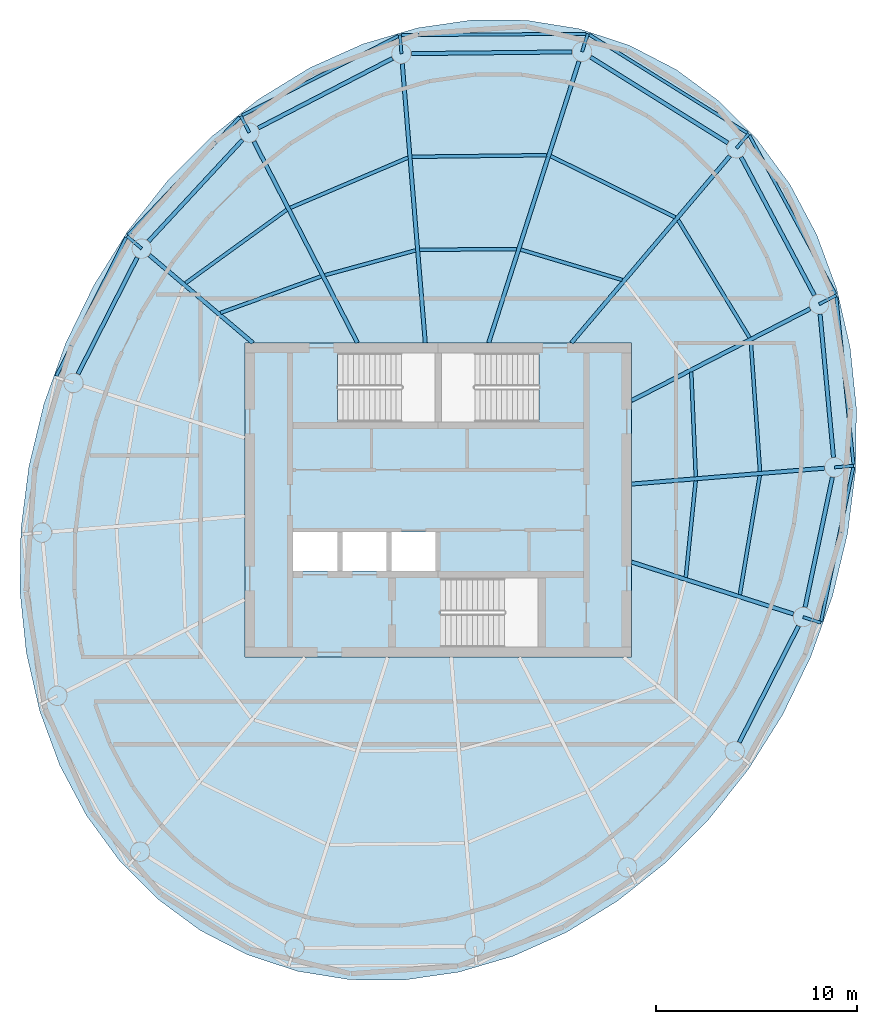
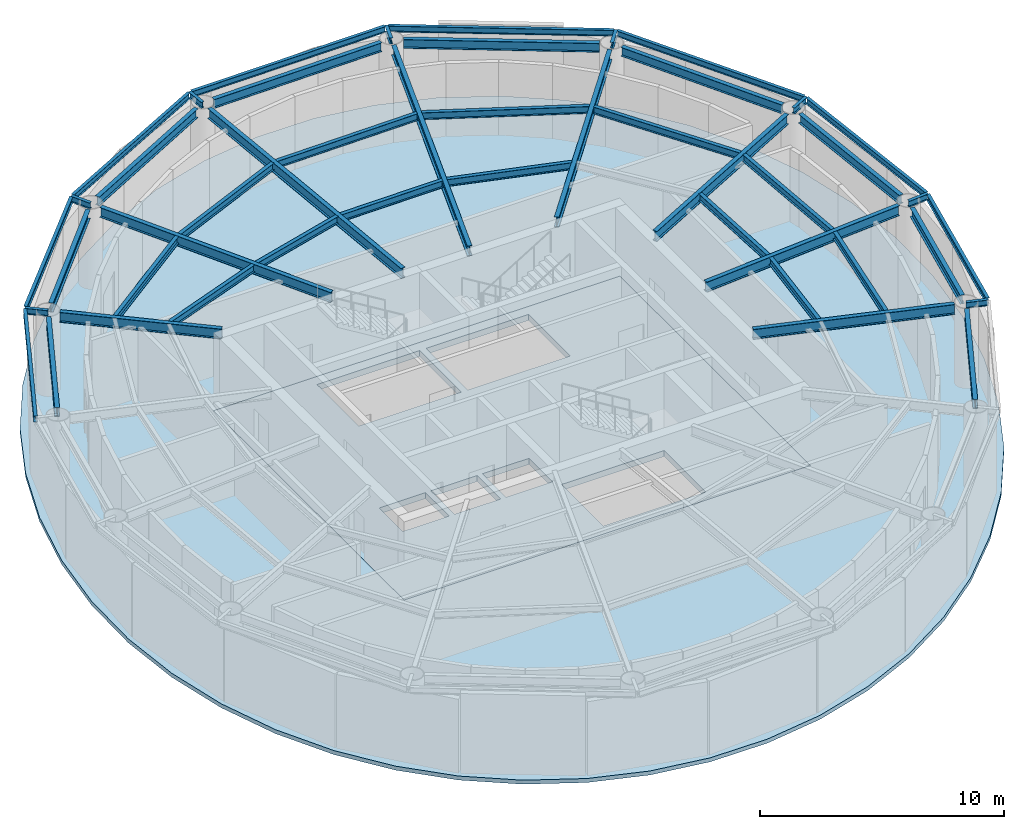
# One storey, part 2 of 6: 46 beams, 2 slabs.
"""IFC4 building model written with IfcOpenShell, lengths in metres."""

import ifcopenshell
import ifcopenshell.guid

model = None  # the IFC model being written
_history = None  # IfcOwnerHistory: only IFC2X3 demands one
_inside = {}  # id of a spatial element -> (the spatial element, [elements in it])
_under = {}  # id of a project, library or spatial element -> (it, [spatial elements below it])
_declared = {}  # id of a project -> (the project, [libraries it declares])
_typed = {}  # id of a type object -> (the type object, [elements of that type])
_made_of = {}  # id of a material, layer set ... -> (it, [elements and type objects made of it])


def new_model(schema):
    """Start an empty IFC model of exactly this schema.

    Asked for "IFC4X3", IfcOpenShell would pick the latest addendum, in which some entities
    have other attributes; the version numbers below select the first issue.
    IFC2X3 requires an IfcOwnerHistory on every rooted entity: one is made here for all.
    """
    global model, _history
    if schema == "IFC4X3":
        model = ifcopenshell.file(schema_version=(4, 3, 0, 0))
    else:
        model = ifcopenshell.file(schema=schema)
    _inside.clear()
    _under.clear()
    _declared.clear()
    _typed.clear()
    _made_of.clear()
    _history = None
    if model.schema == "IFC2X3":
        org = make("IfcOrganization", Name="unknown")
        user = make(
            "IfcPersonAndOrganization",
            ThePerson=make("IfcPerson", FamilyName="unknown"),
            TheOrganization=org,
        )
        app = make(
            "IfcApplication",
            ApplicationDeveloper=org,
            Version="unknown",
            ApplicationFullName="unknown",
            ApplicationIdentifier="unknown",
        )
        _history = make(
            "IfcOwnerHistory",
            OwningUser=user,
            OwningApplication=app,
            ChangeAction="ADDED",
            CreationDate=0,
        )
    return model


def make(cls, **values):
    """One entity of the class cls with the attributes given. An attribute that is None is left unset."""
    return model.create_entity(
        cls, **{name: value for name, value in values.items() if value is not None}
    )


def rooted(cls, **values):
    """An entity with a GlobalId (a new one), such as an element, a storey or a relation."""
    return make(cls, GlobalId=ifcopenshell.guid.new(), OwnerHistory=_history, **values)


def si_unit(unit_type, name, prefix=None):
    """IfcSIUnit, for example si_unit("LENGTHUNIT", "METRE", prefix="MILLI")."""
    return make("IfcSIUnit", UnitType=unit_type, Prefix=prefix, Name=name)


def assignment(units):
    """IfcUnitAssignment: the units of a project."""
    return None if units is None else make("IfcUnitAssignment", Units=units)


def point(xyz):
    """IfcCartesianPoint."""
    return None if xyz is None else make("IfcCartesianPoint", Coordinates=xyz)


def direction(xyz):
    """IfcDirection."""
    return None if xyz is None else make("IfcDirection", DirectionRatios=xyz)


def frame(location, z_axis=None, x_axis=None):
    """IfcAxis2Placement3D, a coordinate frame: its origin and axes. An axis left out is left unset."""
    return make(
        "IfcAxis2Placement3D",
        Location=point(location),
        Axis=direction(z_axis),
        RefDirection=direction(x_axis),
    )


def frame_2d(location, x_axis=None):
    """IfcAxis2Placement2D, a coordinate frame in the plane: its origin and x axis."""
    return make(
        "IfcAxis2Placement2D", Location=point(location), RefDirection=direction(x_axis)
    )


def origin():
    """The frame at (0, 0, 0) with its axes left unset."""
    return frame((0.0, 0.0, 0.0))


def origin_2d():
    """The frame at (0, 0) in the plane with its x axis left unset."""
    return frame_2d((0.0, 0.0))


def place(relative_to, where):
    """IfcLocalPlacement: puts the frame where relative to a parent placement (None: the world)."""
    return make(
        "IfcLocalPlacement", PlacementRelTo=relative_to, RelativePlacement=where
    )


def context(
    kind, dimensions, precision=None, world=None, true_north=None, identifier=None
):
    """IfcGeometricRepresentationContext, for example the 3D "Model" context."""
    return make(
        "IfcGeometricRepresentationContext",
        ContextIdentifier=identifier,
        ContextType=kind,
        CoordinateSpaceDimension=dimensions,
        Precision=precision,
        WorldCoordinateSystem=world,
        TrueNorth=true_north,
    )


def subcontext(parent, identifier, kind, view, scale=None):
    """IfcGeometricRepresentationSubContext, for example "Body" below "Model"."""
    return make(
        "IfcGeometricRepresentationSubContext",
        ContextIdentifier=identifier,
        ContextType=kind,
        ParentContext=parent,
        TargetScale=scale,
        TargetView=view,
    )


def project(units=None, contexts=None):
    """IfcProject with its units and contexts."""
    return rooted(
        "IfcProject",
        Name="project",
        RepresentationContexts=contexts,
        UnitsInContext=assignment(units),
    )


def spatial(cls, under=None, at=None, **own):
    """A site, building, storey or space (cls), placed at a placement, below another one or the project."""
    s = rooted(cls, ObjectPlacement=at, **own)
    if under is not None:
        _under.setdefault(under.id(), (under, []))[1].append(s)
    return s


def polyline(points):
    """IfcPolyline through the points."""
    return make("IfcPolyline", Points=[point(p) for p in points])


def profile(cls, at=None, kind="AREA", **sizes):
    """A parametric profile (cls). Its sizes go by their IFC names, for example OverallWidth=200.0."""
    return make(cls, ProfileType=kind, Position=at, **sizes)


def i_section(**sizes):
    """IfcIShapeProfileDef."""
    return profile("IfcIShapeProfileDef", **sizes)


def outline(outer, holes=None, kind="AREA"):
    """IfcArbitraryClosedProfileDef: a profile drawn as a closed curve; with holes, ...WithVoids."""
    if holes is None:
        return make("IfcArbitraryClosedProfileDef", ProfileType=kind, OuterCurve=outer)
    return make(
        "IfcArbitraryProfileDefWithVoids",
        ProfileType=kind,
        OuterCurve=outer,
        InnerCurves=holes,
    )


def extrude(swept, where, along, depth):
    """IfcExtrudedAreaSolid: the profile swept, set in the frame where, extruded along a direction by depth."""
    return make(
        "IfcExtrudedAreaSolid",
        SweptArea=swept,
        Position=where,
        ExtrudedDirection=direction(along),
        Depth=depth,
    )


def shape(context_of_items, identifier, shape_type, items):
    """IfcShapeRepresentation: the items that make up one representation, for example the "Body"."""
    return make(
        "IfcShapeRepresentation",
        ContextOfItems=context_of_items,
        RepresentationIdentifier=identifier,
        RepresentationType=shape_type,
        Items=items,
    )


def material(Name=None, Category=None):
    """IfcMaterial."""
    return make("IfcMaterial", Name=Name, Category=Category)


def layer(
    of_material, thickness, ventilated=None, Name=None, Category=None, Priority=None
):
    """IfcMaterialLayer: one layer of a wall or slab, of a material (None: an air gap)."""
    return make(
        "IfcMaterialLayer",
        Material=of_material,
        LayerThickness=thickness,
        IsVentilated=ventilated,
        Name=Name,
        Category=Category,
        Priority=Priority,
    )


def layer_set(layers, Name=None):
    """IfcMaterialLayerSet."""
    return make("IfcMaterialLayerSet", MaterialLayers=layers, LayerSetName=Name)


def material_profile(
    of_material, cross_section, Name=None, Category=None, Priority=None
):
    """IfcMaterialProfile: a cross section and its material."""
    return make(
        "IfcMaterialProfile",
        Name=Name,
        Material=of_material,
        Profile=cross_section,
        Priority=Priority,
        Category=Category,
    )


def profile_set(profiles, Name=None, composite=None):
    """IfcMaterialProfileSet."""
    return make(
        "IfcMaterialProfileSet",
        Name=Name,
        MaterialProfiles=profiles,
        CompositeProfile=composite,
    )


def made_of(thing, what):
    """Note that an element or type object is made of a material, layer set ...; save() writes the relation."""
    if what is not None:
        _made_of.setdefault(what.id(), (what, []))[1].append(thing)
    return thing


def type_object(cls, material=None, **own):
    """A type object (cls), such as IfcWallType, which elements share."""
    return made_of(rooted(cls, **own), material)


def element(
    cls,
    number,
    at=None,
    inside=None,
    cuts=None,
    type_object=None,
    material=None,
    context=None,
    identifier="Body",
    shape_type=None,
    held_by="IfcProductDefinitionShape",
    body=None,
    shapes=None,
    **own,
):
    """One element of the class cls, such as IfcWall. Its Tag is "e" and its number.

    at: its placement. inside: the storey or other place that contains it. cuts: it is an
    opening in that element (IfcRelVoidsElement). A single representation is given by context,
    identifier, shape_type and body (its items); several are given by shapes. held_by: the class
    of the entity that holds the representations. save() writes the other relations.
    """
    e = rooted(cls, Tag="e%d" % number, ObjectPlacement=at, **own)
    if body is not None:
        shapes = [shape(context, identifier, shape_type, body)]
    if shapes is not None:
        e.Representation = make(held_by, Representations=shapes)
    if inside is not None:
        _inside.setdefault(inside.id(), (inside, []))[1].append(e)
    if cuts is not None:
        rooted(
            "IfcRelVoidsElement", RelatingBuildingElement=cuts, RelatedOpeningElement=e
        )
    if type_object is not None:
        _typed.setdefault(type_object.id(), (type_object, []))[1].append(e)
    return made_of(e, material)


def aggregate(whole, parts):
    """IfcRelAggregates: a whole, such as a stair, and the parts it consists of."""
    return rooted("IfcRelAggregates", RelatingObject=whole, RelatedObjects=parts)


def save(model, path):
    """Write the relations noted so far, then the file.

    IfcRelAggregates (storeys below a building ...), IfcRelContainedInSpatialStructure (elements
    in a storey), IfcRelDefinesByType, IfcRelAssociatesMaterial and IfcRelDeclares: one each for
    every whole, place, type object, material and project.
    """
    for whole, parts in _under.values():
        aggregate(whole, parts)
    for where, things in _inside.values():
        rooted(
            "IfcRelContainedInSpatialStructure",
            RelatedElements=things,
            RelatingStructure=where,
        )
    for kind, things in _typed.values():
        rooted("IfcRelDefinesByType", RelatedObjects=things, RelatingType=kind)
    for what, things in _made_of.values():
        rooted("IfcRelAssociatesMaterial", RelatedObjects=things, RelatingMaterial=what)
    for by, libraries in _declared.values():
        rooted("IfcRelDeclares", RelatingContext=by, RelatedDefinitions=libraries)
    model.write(path)


model = new_model("IFC4")

# Units and contexts
model_context = context("Model", 3, precision=1e-05, world=origin(), true_north=direction((0.0, 1.0)))
body_context = subcontext(model_context, "Body", "Model", "MODEL_VIEW")
ifc_project = project(units=[si_unit("LENGTHUNIT", "METRE"), si_unit("AREAUNIT", "SQUARE_METRE"), si_unit("VOLUMEUNIT", "CUBIC_METRE"), si_unit("PLANEANGLEUNIT", "RADIAN"), si_unit("MASSUNIT", "GRAM", prefix="KILO")], contexts=[model_context])

# Site, building, storey
site_placement = place(None, origin())
site = spatial("IfcSite", under=ifc_project, at=site_placement, CompositionType="ELEMENT")
building_placement = place(site_placement, origin())
building = spatial("IfcBuilding", under=site, at=building_placement, Name="Vermilion Reach Broadcast Tower", CompositionType="ELEMENT")
storey_placement = place(building_placement, frame((0.0, 0.0, 308.699951171875)))
storey = spatial("IfcBuildingStorey", under=building, at=storey_placement, Name="L77 CROWN", CompositionType="ELEMENT", Elevation=308.699951171875)

# Beams
ifc_material_1 = material(Name="Steel S355J2", Category="steel")
ifc_material_profile_1 = material_profile(ifc_material_1, i_section(OverallWidth=0.14990234375, OverallDepth=0.300048828125, WebThickness=0.006591796875, FlangeThickness=0.009033203125, at=origin_2d()), Name="S355J2 HN 300x150x6.5x9")
ifc_profile_set_1 = profile_set([ifc_material_profile_1], Name="Steel S355J2")
beam_type_1 = type_object("IfcBeamType", Name="EB5 HN 300x150x6.5x9", PredefinedType="BEAM", material=ifc_profile_set_1)
beam_1_placement = place(storey_placement, frame((1.346435546875, 23.140380859375, 3.85009765625), z_axis=(-0.999971629622, -0.007532592595, 0.0), x_axis=(0.007532592595, -0.999971629622, 0.0)))
element("IfcBeam", 1, at=beam_1_placement, inside=storey, type_object=beam_type_1, Name="Edge beam EB5-01", PredefinedType="BEAM", context=body_context, shape_type="SweptSolid", body=[
    extrude(i_section(OverallWidth=0.14990234375, OverallDepth=0.300048828125, WebThickness=0.006591796875, FlangeThickness=0.009033203125, at=origin_2d()), origin(), (0.0, 0.0, 1.0), 9.17236328125),
])
beam_2_placement = place(storey_placement, frame((-7.97314453125, 23.033935546875, 3.85009765625), z_axis=(-0.891604217889, -0.452815545936, 0.0), x_axis=(0.452815545936, -0.891604217889, 0.0)))
element("IfcBeam", 2, at=beam_2_placement, inside=storey, type_object=beam_type_1, Name="Edge beam EB5-02", PredefinedType="BEAM", context=body_context, shape_type="SweptSolid", body=[
    extrude(i_section(OverallWidth=0.14990234375, OverallDepth=0.300048828125, WebThickness=0.006591796875, FlangeThickness=0.009033203125, at=origin_2d()), origin(), (0.0, 0.0, 1.0), 8.70263671875),
])
beam_3_placement = place(storey_placement, frame((-15.85400390625, 19.001708984375, 3.85009765625), z_axis=(-0.687701793008, -0.725993280888, 0.0), x_axis=(0.725993280888, -0.687701793008, 0.0)))
element("IfcBeam", 3, at=beam_3_placement, inside=storey, type_object=beam_type_1, Name="Edge beam EB5-03", PredefinedType="BEAM", context=body_context, shape_type="SweptSolid", body=[
    extrude(i_section(OverallWidth=0.14990234375, OverallDepth=0.300048828125, WebThickness=0.006591796875, FlangeThickness=0.009033203125, at=origin_2d()), origin(), (0.0, 0.0, 1.0), 8.05908203125),
])
beam_4_placement = place(storey_placement, frame((-21.48291015625, 13.02734375, 3.85009765625), z_axis=(-0.451232435887, -0.892406459414, 0.0), x_axis=(0.892406459414, -0.451232435887, 0.0)))
element("IfcBeam", 4, at=beam_4_placement, inside=storey, type_object=beam_type_1, Name="Edge beam EB5-04", PredefinedType="BEAM", context=body_context, shape_type="SweptSolid", body=[
    extrude(i_section(OverallWidth=0.14990234375, OverallDepth=0.300048828125, WebThickness=0.006591796875, FlangeThickness=0.009033203125, at=origin_2d()), origin(), (0.0, 0.0, 1.0), 7.6943359375),
])
beam_5_placement = place(storey_placement, frame((13.00439453125, -6.019287109375, 3.85009765625), z_axis=(0.204738436734, 0.978816720599, 0.0), x_axis=(-0.978816720599, 0.204738436734, 0.0)))
element("IfcBeam", 5, at=beam_5_placement, inside=storey, type_object=beam_type_1, Name="Edge beam EB5-13", PredefinedType="BEAM", context=body_context, shape_type="SweptSolid", body=[
    extrude(i_section(OverallWidth=0.14990234375, OverallDepth=0.300048828125, WebThickness=0.006591796875, FlangeThickness=0.009033203125, at=origin_2d()), origin(), (0.0, 0.0, 1.0), 7.806884765625),
])
beam_6_placement = place(storey_placement, frame((14.611083984375, 1.7734375, 3.85009765625), z_axis=(-0.102011792202, 0.99478318957, 0.0), x_axis=(-0.99478318957, -0.102011792202, 0.0)))
element("IfcBeam", 6, at=beam_6_placement, inside=storey, type_object=beam_type_1, Name="Edge beam EB5-14", PredefinedType="BEAM", context=body_context, shape_type="SweptSolid", body=[
    extrude(i_section(OverallWidth=0.14990234375, OverallDepth=0.300048828125, WebThickness=0.006591796875, FlangeThickness=0.009033203125, at=origin_2d()), origin(), (0.0, 0.0, 1.0), 8.34521484375),
])
beam_7_placement = place(storey_placement, frame((13.7158203125, 10.22119140625, 3.85009765625), z_axis=(-0.476526173128, 0.879160284774, 0.0), x_axis=(-0.879160284774, -0.476526173128, 0.0)))
element("IfcBeam", 7, at=beam_7_placement, inside=storey, type_object=beam_type_1, Name="Edge beam EB5-15", PredefinedType="BEAM", context=body_context, shape_type="SweptSolid", body=[
    extrude(i_section(OverallWidth=0.14990234375, OverallDepth=0.300048828125, WebThickness=0.006591796875, FlangeThickness=0.009033203125, at=origin_2d()), origin(), (0.0, 0.0, 1.0), 8.9638671875),
])
beam_8_placement = place(storey_placement, frame((9.341552734375, 18.212646484375, 3.85009765625), z_axis=(-0.848928421209, 0.528507838791, 0.0), x_axis=(-0.528507838791, -0.848928421209, 0.0)))
element("IfcBeam", 8, at=beam_8_placement, inside=storey, type_object=beam_type_1, Name="Edge beam EB5-16", PredefinedType="BEAM", context=body_context, shape_type="SweptSolid", body=[
    extrude(i_section(OverallWidth=0.14990234375, OverallDepth=0.300048828125, WebThickness=0.006591796875, FlangeThickness=0.009033203125, at=origin_2d()), origin(), (0.0, 0.0, 1.0), 9.24755859375),
])
ifc_material_2 = material(Name="Steel S355J2", Category="steel")
ifc_material_profile_2 = material_profile(ifc_material_2, i_section(OverallWidth=0.199951171875, OverallDepth=0.5, WebThickness=0.010009765625, FlangeThickness=0.01611328125, at=origin_2d()), Name="S355J2 HN 500x200x10x16")
ifc_profile_set_2 = profile_set([ifc_material_profile_2], Name="Steel S355J2")
beam_type_2 = type_object("IfcBeamType", Name="G5 HN 500x200x10x16", PredefinedType="BEAM", material=ifc_profile_set_2)
beam_9_placement = place(storey_placement, frame((-3.497314453125, 7.800048828125, 3.75), z_axis=(0.305545401295, 0.952177508528, 0.0), x_axis=(-0.952177508528, 0.305545401295, 0.0)))
element("IfcBeam", 9, at=beam_9_placement, inside=storey, type_object=beam_type_2, Name="Girder G5-01", PredefinedType="BEAM", context=body_context, shape_type="SweptSolid", body=[
    extrude(i_section(OverallWidth=0.199951171875, OverallDepth=0.5, WebThickness=0.010009765625, FlangeThickness=0.01611328125, at=origin_2d()), origin(), (0.0, 0.0, 1.0), 14.672607421875),
])
beam_10_placement = place(storey_placement, frame((-6.642578125, 7.800048828125, 3.75), z_axis=(-0.082123744247, 0.996622140347, 0.0), x_axis=(-0.996622140347, -0.082123744247, 0.0)))
element("IfcBeam", 10, at=beam_10_placement, inside=storey, type_object=beam_type_2, Name="Girder G5-02", PredefinedType="BEAM", context=body_context, shape_type="SweptSolid", body=[
    extrude(i_section(OverallWidth=0.199951171875, OverallDepth=0.5, WebThickness=0.010009765625, FlangeThickness=0.01611328125, at=origin_2d()), origin(), (0.0, 0.0, 1.0), 13.89794921875),
])
beam_11_placement = place(storey_placement, frame((-10.010498046875, 7.800048828125, 3.75), z_axis=(-0.457258168112, 0.889334002327, 0.0), x_axis=(-0.889334002327, -0.457258168112, 0.0)))
element("IfcBeam", 11, at=beam_11_placement, inside=storey, type_object=beam_type_2, Name="Girder G5-03", PredefinedType="BEAM", context=body_context, shape_type="SweptSolid", body=[
    extrude(i_section(OverallWidth=0.199951171875, OverallDepth=0.5, WebThickness=0.010009765625, FlangeThickness=0.01611328125, at=origin_2d()), origin(), (0.0, 0.0, 1.0), 11.236328125),
])
beam_12_placement = place(storey_placement, frame((-15.20068359375, 7.800048828125, 3.75), z_axis=(-0.762793125612, 0.646642596431, 0.0), x_axis=(-0.646642596431, -0.762793125612, 0.0)))
element("IfcBeam", 12, at=beam_12_placement, inside=storey, type_object=beam_type_2, Name="Girder G5-04", PredefinedType="BEAM", context=body_context, shape_type="SweptSolid", body=[
    extrude(i_section(OverallWidth=0.199951171875, OverallDepth=0.5, WebThickness=0.010009765625, FlangeThickness=0.01611328125, at=origin_2d()), origin(), (0.0, 0.0, 1.0), 6.732421875),
])
beam_13_placement = place(storey_placement, frame((3.60009765625, -3.080322265625, 3.75), z_axis=(0.952178453449, -0.305542456604, 0.0), x_axis=(0.305542456604, 0.952178453449, 0.0)))
element("IfcBeam", 13, at=beam_13_placement, inside=storey, type_object=beam_type_2, Name="Girder G5-13", PredefinedType="BEAM", context=body_context, shape_type="SweptSolid", body=[
    extrude(i_section(OverallWidth=0.199951171875, OverallDepth=0.5, WebThickness=0.010009765625, FlangeThickness=0.01611328125, at=origin_2d()), origin(), (0.0, 0.0, 1.0), 8.43310546875),
])
beam_14_placement = place(storey_placement, frame((3.60009765625, 0.791015625, 3.75), z_axis=(0.996624410075, 0.082096195058, 0.0), x_axis=(-0.082096195058, 0.996624410075, 0.0)))
element("IfcBeam", 14, at=beam_14_placement, inside=storey, type_object=beam_type_2, Name="Girder G5-14", PredefinedType="BEAM", context=body_context, shape_type="SweptSolid", body=[
    extrude(i_section(OverallWidth=0.199951171875, OverallDepth=0.5, WebThickness=0.010009765625, FlangeThickness=0.01611328125, at=origin_2d()), origin(), (0.0, 0.0, 1.0), 9.599609375),
])
beam_15_placement = place(storey_placement, frame((3.60009765625, 4.935791015625, 3.75), z_axis=(0.889332502449, 0.457261085254, 0.0), x_axis=(-0.457261085254, 0.889332502449, 0.0)))
element("IfcBeam", 15, at=beam_15_placement, inside=storey, type_object=beam_type_2, Name="Girder G5-15", PredefinedType="BEAM", context=body_context, shape_type="SweptSolid", body=[
    extrude(i_section(OverallWidth=0.199951171875, OverallDepth=0.5, WebThickness=0.010009765625, FlangeThickness=0.01611328125, at=origin_2d()), origin(), (0.0, 0.0, 1.0), 9.96337890625),
])
beam_16_placement = place(storey_placement, frame((0.612548828125, 7.800048828125, 3.75), z_axis=(0.646658335602, 0.762779782766, 0.0), x_axis=(-0.762779782766, 0.646658335602, 0.0)))
element("IfcBeam", 16, at=beam_16_placement, inside=storey, type_object=beam_type_2, Name="Girder G5-16", PredefinedType="BEAM", context=body_context, shape_type="SweptSolid", body=[
    extrude(i_section(OverallWidth=0.199951171875, OverallDepth=0.5, WebThickness=0.010009765625, FlangeThickness=0.01611328125, at=origin_2d()), origin(), (0.0, 0.0, 1.0), 12.16064453125),
])
ifc_material_3 = material(Name="Steel S355J2", Category="steel")
ifc_material_profile_3 = material_profile(ifc_material_3, i_section(OverallWidth=0.14990234375, OverallDepth=0.300048828125, WebThickness=0.006591796875, FlangeThickness=0.009033203125, at=origin_2d()), Name="S355J2 HN 300x150x6.5x9")
ifc_profile_set_3 = profile_set([ifc_material_profile_3], Name="Steel S355J2")
beam_type_3 = type_object("IfcBeamType", Name="GS5 HN 300x150x6.5x9", PredefinedType="BEAM", material=ifc_profile_set_3)
beam_17_placement = place(storey_placement, frame((1.138427734375, 22.2470703125, 3.85009765625), z_axis=(0.305596628184, 0.95216106875, 0.0), x_axis=(-0.95216106875, 0.305596628184, 0.0)))
element("IfcBeam", 17, at=beam_17_placement, inside=storey, type_object=beam_type_3, Name="Cantilever stub GS5-01", PredefinedType="BEAM", context=body_context, shape_type="SweptSolid", body=[
    extrude(i_section(OverallWidth=0.14990234375, OverallDepth=0.300048828125, WebThickness=0.006591796875, FlangeThickness=0.009033203125, at=origin_2d()), origin(), (0.0, 0.0, 1.0), 0.938720703125),
])
beam_18_placement = place(storey_placement, frame((-7.824951171875, 22.1494140625, 3.85009765625), z_axis=(-0.082149174093, 0.996620044548, 0.0), x_axis=(-0.996620044548, -0.082149174093, 0.0)))
element("IfcBeam", 18, at=beam_18_placement, inside=storey, type_object=beam_type_3, Name="Cantilever stub GS5-02", PredefinedType="BEAM", context=body_context, shape_type="SweptSolid", body=[
    extrude(i_section(OverallWidth=0.14990234375, OverallDepth=0.300048828125, WebThickness=0.006591796875, FlangeThickness=0.009033203125, at=origin_2d()), origin(), (0.0, 0.0, 1.0), 0.92431640625),
])
beam_19_placement = place(storey_placement, frame((-15.376953125, 18.23779296875, 3.85009765625), z_axis=(-0.457228572872, 0.889349218333, 0.0), x_axis=(-0.889349218333, -0.457228572872, 0.0)))
element("IfcBeam", 19, at=beam_19_placement, inside=storey, type_object=beam_type_3, Name="Cantilever stub GS5-03", PredefinedType="BEAM", context=body_context, shape_type="SweptSolid", body=[
    extrude(i_section(OverallWidth=0.14990234375, OverallDepth=0.300048828125, WebThickness=0.006591796875, FlangeThickness=0.009033203125, at=origin_2d()), origin(), (0.0, 0.0, 1.0), 0.923828125),
])
beam_20_placement = place(storey_placement, frame((-20.717529296875, 12.476806640625, 3.85009765625), z_axis=(-0.762718692688, 0.64673038882, 0.0), x_axis=(-0.64673038882, -0.762718692688, 0.0)))
element("IfcBeam", 20, at=beam_20_placement, inside=storey, type_object=beam_type_3, Name="Cantilever stub GS5-04", PredefinedType="BEAM", context=body_context, shape_type="SweptSolid", body=[
    extrude(i_section(OverallWidth=0.14990234375, OverallDepth=0.300048828125, WebThickness=0.006591796875, FlangeThickness=0.009033203125, at=origin_2d()), origin(), (0.0, 0.0, 1.0), 0.957763671875),
])
beam_21_placement = place(storey_placement, frame((12.10595703125, -5.809814453125, 3.85009765625), z_axis=(0.952228317443, -0.305387019141, 0.0), x_axis=(0.305387019141, 0.952228317443, 0.0)))
element("IfcBeam", 21, at=beam_21_placement, inside=storey, type_object=beam_type_3, Name="Cantilever stub GS5-13", PredefinedType="BEAM", context=body_context, shape_type="SweptSolid", body=[
    extrude(i_section(OverallWidth=0.14990234375, OverallDepth=0.300048828125, WebThickness=0.006591796875, FlangeThickness=0.009033203125, at=origin_2d()), origin(), (0.0, 0.0, 1.0), 0.92724609375),
])
beam_22_placement = place(storey_placement, frame((13.665771484375, 1.620361328125, 3.85009765625), z_axis=(0.996634988565, 0.081967673925, 0.0), x_axis=(-0.081967673925, 0.996634988565, 0.0)))
element("IfcBeam", 22, at=beam_22_placement, inside=storey, type_object=beam_type_3, Name="Cantilever stub GS5-14", PredefinedType="BEAM", context=body_context, shape_type="SweptSolid", body=[
    extrude(i_section(OverallWidth=0.14990234375, OverallDepth=0.300048828125, WebThickness=0.006591796875, FlangeThickness=0.009033203125, at=origin_2d()), origin(), (0.0, 0.0, 1.0), 0.9560546875),
])
beam_23_placement = place(storey_placement, frame((12.905517578125, 9.72021484375, 3.85009765625), z_axis=(0.88934146644, 0.457243650662, 0.0), x_axis=(-0.457243650662, 0.88934146644, 0.0)))
element("IfcBeam", 23, at=beam_23_placement, inside=storey, type_object=beam_type_3, Name="Cantilever stub GS5-15", PredefinedType="BEAM", context=body_context, shape_type="SweptSolid", body=[
    extrude(i_section(OverallWidth=0.14990234375, OverallDepth=0.300048828125, WebThickness=0.006591796875, FlangeThickness=0.009033203125, at=origin_2d()), origin(), (0.0, 0.0, 1.0), 0.951416015625),
])
beam_24_placement = place(storey_placement, frame((8.799560546875, 17.457275390625, 3.85009765625), z_axis=(0.646665495652, 0.762773712665, 0.0), x_axis=(-0.762773712665, 0.646665495652, 0.0)))
element("IfcBeam", 24, at=beam_24_placement, inside=storey, type_object=beam_type_3, Name="Cantilever stub GS5-16", PredefinedType="BEAM", context=body_context, shape_type="SweptSolid", body=[
    extrude(i_section(OverallWidth=0.14990234375, OverallDepth=0.300048828125, WebThickness=0.006591796875, FlangeThickness=0.009033203125, at=origin_2d()), origin(), (0.0, 0.0, 1.0), 0.937744140625),
])
ifc_material_4 = material(Name="Steel S355J2", Category="steel")
ifc_material_profile_4 = material_profile(ifc_material_4, i_section(OverallWidth=0.199951171875, OverallDepth=0.449951171875, WebThickness=0.009033203125, FlangeThickness=0.013916015625, at=origin_2d()), Name="S355J2 HN 450x200x9x14")
ifc_profile_set_4 = profile_set([ifc_material_profile_4], Name="Steel S355J2")
beam_type_4 = type_object("IfcBeamType", Name="RB5 HN 450x200x9x14", PredefinedType="BEAM", material=ifc_profile_set_4)
beam_25_placement = place(storey_placement, frame((0.638427734375, 22.24169921875, 3.775146484375), z_axis=(-0.999940445231, -0.010913569149, 0.0), x_axis=(0.010913569149, -0.999940445231, 0.0)))
element("IfcBeam", 25, at=beam_25_placement, inside=storey, type_object=beam_type_4, Name="Ring beam RB5-01", PredefinedType="BEAM", context=body_context, shape_type="SweptSolid", body=[
    extrude(i_section(OverallWidth=0.199951171875, OverallDepth=0.449951171875, WebThickness=0.009033203125, FlangeThickness=0.013916015625, at=origin_2d()), origin(), (0.0, 0.0, 1.0), 7.9638671875),
])
beam_26_placement = place(storey_placement, frame((-8.268798828125, 21.91943359375, 3.775146484375), z_axis=(-0.887960248279, -0.459920207729, 0.0), x_axis=(0.459920207729, -0.887960248279, 0.0)))
element("IfcBeam", 26, at=beam_26_placement, inside=storey, type_object=beam_type_4, Name="Ring beam RB5-02", PredefinedType="BEAM", context=body_context, shape_type="SweptSolid", body=[
    extrude(i_section(OverallWidth=0.199951171875, OverallDepth=0.449951171875, WebThickness=0.009033203125, FlangeThickness=0.013916015625, at=origin_2d()), origin(), (0.0, 0.0, 1.0), 7.5048828125),
])
beam_27_placement = place(storey_placement, frame((-15.716796875, 17.87109375, 3.775146484375), z_axis=(-0.679837550075, -0.733362738014, 0.0), x_axis=(0.733362738014, -0.679837550075, 0.0)))
element("IfcBeam", 27, at=beam_27_placement, inside=storey, type_object=beam_type_4, Name="Ring beam RB5-03", PredefinedType="BEAM", context=body_context, shape_type="SweptSolid", body=[
    extrude(i_section(OverallWidth=0.199951171875, OverallDepth=0.449951171875, WebThickness=0.009033203125, FlangeThickness=0.013916015625, at=origin_2d()), origin(), (0.0, 0.0, 1.0), 6.85546875),
])
for number, where, z_axis, x_axis, name in (
    (28, (-20.944091796875, 12.03125, 3.775146484375), (-0.453052302855, -0.891483937532, 0.0), (0.891483937532, -0.453052302855, 0.0), "Ring beam RB5-04"),
    (29, (8.944091796875, -12.03125, 3.775146484375), (0.453052302855, 0.891483937532, 0.0), (-0.891483937532, 0.453052302855, 0.0), "Ring beam RB5-12"),
):
    element("IfcBeam", number, at=place(storey_placement, frame(where, z_axis=z_axis, x_axis=x_axis)), inside=storey, type_object=beam_type_4, Name=name, PredefinedType="BEAM", context=body_context, shape_type="SweptSolid", body=[
        extrude(i_section(OverallWidth=0.199951171875, OverallDepth=0.449951171875, WebThickness=0.009033203125, FlangeThickness=0.013916015625, at=origin_2d()), origin(), (0.0, 0.0, 1.0), 6.47900390625),
    ])
beam_28_placement = place(storey_placement, frame((12.208740234375, -5.3203125, 3.775146484375), z_axis=(0.205444869285, 0.978668690459, 0.0), x_axis=(-0.978668690459, 0.205444869285, 0.0)))
element("IfcBeam", 30, at=beam_28_placement, inside=storey, type_object=beam_type_4, Name="Ring beam RB5-13", PredefinedType="BEAM", context=body_context, shape_type="SweptSolid", body=[
    extrude(i_section(OverallWidth=0.199951171875, OverallDepth=0.449951171875, WebThickness=0.009033203125, FlangeThickness=0.013916015625, at=origin_2d()), origin(), (0.0, 0.0, 1.0), 6.591796875),
])
beam_29_placement = place(storey_placement, frame((13.618896484375, 2.1181640625, 3.775146484375), z_axis=(-0.093441399272, 0.995624781181, 0.0), x_axis=(-0.995624781181, -0.093441399272, 0.0)))
element("IfcBeam", 31, at=beam_29_placement, inside=storey, type_object=beam_type_4, Name="Ring beam RB5-14", PredefinedType="BEAM", context=body_context, shape_type="SweptSolid", body=[
    extrude(i_section(OverallWidth=0.199951171875, OverallDepth=0.449951171875, WebThickness=0.009033203125, FlangeThickness=0.013916015625, at=origin_2d()), origin(), (0.0, 0.0, 1.0), 7.135498046875),
])
beam_30_placement = place(storey_placement, frame((12.671142578125, 10.161865234375, 3.775146484375), z_axis=(-0.468767917375, 0.883321368269, 0.0), x_axis=(-0.883321368269, -0.468767917375, 0.0)))
element("IfcBeam", 32, at=beam_30_placement, inside=storey, type_object=beam_type_4, Name="Ring beam RB5-15", PredefinedType="BEAM", context=body_context, shape_type="SweptSolid", body=[
    extrude(i_section(OverallWidth=0.199951171875, OverallDepth=0.449951171875, WebThickness=0.009033203125, FlangeThickness=0.013916015625, at=origin_2d()), origin(), (0.0, 0.0, 1.0), 7.759033203125),
])
beam_31_placement = place(storey_placement, frame((8.375732421875, 17.722412109375, 3.775146484375), z_axis=(-0.847914653245, 0.530132757724, 0.0), x_axis=(-0.530132757724, -0.847914653245, 0.0)))
element("IfcBeam", 33, at=beam_31_placement, inside=storey, type_object=beam_type_4, Name="Ring beam RB5-16", PredefinedType="BEAM", context=body_context, shape_type="SweptSolid", body=[
    extrude(i_section(OverallWidth=0.199951171875, OverallDepth=0.449951171875, WebThickness=0.009033203125, FlangeThickness=0.013916015625, at=origin_2d()), origin(), (0.0, 0.0, 1.0), 8.035400390625),
])
ifc_material_5 = material(Name="Steel S355J2", Category="steel")
ifc_material_profile_5 = material_profile(ifc_material_5, i_section(OverallWidth=0.175048828125, OverallDepth=0.35009765625, WebThickness=0.007080078125, FlangeThickness=0.010986328125, at=origin_2d()), Name="S355J2 HN 350x175x7x11")
ifc_profile_set_5 = profile_set([ifc_material_profile_5], Name="Steel S355J2")
beam_type_5 = type_object("IfcBeamType", Name="SB5 HN 350x175x7x11", PredefinedType="BEAM", material=ifc_profile_set_5)
beam_32_placement = place(storey_placement, frame((-2.108154296875, 12.4560546875, 3.824951171875), z_axis=(-0.999968312294, -0.007960804474, 0.0), x_axis=(0.007960804474, -0.999968312294, 0.0)))
element("IfcBeam", 34, at=beam_32_placement, inside=storey, type_object=beam_type_5, Name="Secondary beam SB5-01-1", PredefinedType="BEAM", context=body_context, shape_type="SweptSolid", body=[
    extrude(i_section(OverallWidth=0.175048828125, OverallDepth=0.35009765625, WebThickness=0.007080078125, FlangeThickness=0.010986328125, at=origin_2d()), origin(), (0.0, 0.0, 1.0), 4.81494140625),
])
beam_33_placement = place(storey_placement, frame((-0.614013671875, 17.11279296875, 3.824951171875), z_axis=(-0.999932654133, -0.011605481368, 0.0), x_axis=(0.011605481368, -0.999932654133, 0.0)))
element("IfcBeam", 35, at=beam_33_placement, inside=storey, type_object=beam_type_5, Name="Secondary beam SB5-01-2", PredefinedType="BEAM", context=body_context, shape_type="SweptSolid", body=[
    extrude(i_section(OverallWidth=0.175048828125, OverallDepth=0.35009765625, WebThickness=0.007080078125, FlangeThickness=0.010986328125, at=origin_2d()), origin(), (0.0, 0.0, 1.0), 6.689697265625),
])
beam_34_placement = place(storey_placement, frame((-7.12109375, 12.39013671875, 3.824951171875), z_axis=(-0.964547496851, -0.263909314573, 0.0), x_axis=(0.263909314573, -0.964547496851, 0.0)))
element("IfcBeam", 36, at=beam_34_placement, inside=storey, type_object=beam_type_5, Name="Secondary beam SB5-02-1", PredefinedType="BEAM", context=body_context, shape_type="SweptSolid", body=[
    extrude(i_section(OverallWidth=0.175048828125, OverallDepth=0.35009765625, WebThickness=0.007080078125, FlangeThickness=0.010986328125, at=origin_2d()), origin(), (0.0, 0.0, 1.0), 4.6689453125),
])
beam_35_placement = place(storey_placement, frame((-7.50048828125, 16.99267578125, 3.824951171875), z_axis=(-0.919880986172, -0.392197617637, 0.0), x_axis=(0.392197617637, -0.919880986172, 0.0)))
element("IfcBeam", 37, at=beam_35_placement, inside=storey, type_object=beam_type_5, Name="Secondary beam SB5-02-2", PredefinedType="BEAM", context=body_context, shape_type="SweptSolid", body=[
    extrude(i_section(OverallWidth=0.175048828125, OverallDepth=0.35009765625, WebThickness=0.007080078125, FlangeThickness=0.010986328125, at=origin_2d()), origin(), (0.0, 0.0, 1.0), 6.351806640625),
])
beam_36_placement = place(storey_placement, frame((-11.81787109375, 11.0966796875, 3.824951171875), z_axis=(-0.940220108875, -0.340567389613, 0.0), x_axis=(0.340567389613, -0.940220108875, 0.0)))
element("IfcBeam", 38, at=beam_36_placement, inside=storey, type_object=beam_type_5, Name="Secondary beam SB5-03-1", PredefinedType="BEAM", context=body_context, shape_type="SweptSolid", body=[
    extrude(i_section(OverallWidth=0.175048828125, OverallDepth=0.35009765625, WebThickness=0.007080078125, FlangeThickness=0.010986328125, at=origin_2d()), origin(), (0.0, 0.0, 1.0), 5.303466796875),
])
beam_37_placement = place(storey_placement, frame((-13.517578125, 14.402587890625, 3.824951171875), z_axis=(-0.809771251518, -0.586745703192, 0.0), x_axis=(0.586745703192, -0.809771251518, 0.0)))
element("IfcBeam", 39, at=beam_37_placement, inside=storey, type_object=beam_type_5, Name="Secondary beam SB5-03-2", PredefinedType="BEAM", context=body_context, shape_type="SweptSolid", body=[
    extrude(i_section(OverallWidth=0.175048828125, OverallDepth=0.35009765625, WebThickness=0.007080078125, FlangeThickness=0.010986328125, at=origin_2d()), origin(), (0.0, 0.0, 1.0), 6.20361328125),
])
beam_38_placement = place(storey_placement, frame((6.287109375, -3.837646484375, 3.824951171875), z_axis=(0.102113775264, 0.994772726255, 0.0), x_axis=(-0.994772726255, 0.102113775264, 0.0)))
element("IfcBeam", 40, at=beam_38_placement, inside=storey, type_object=beam_type_5, Name="Secondary beam SB5-13-1", PredefinedType="BEAM", context=body_context, shape_type="SweptSolid", body=[
    extrude(i_section(OverallWidth=0.175048828125, OverallDepth=0.35009765625, WebThickness=0.007080078125, FlangeThickness=0.010986328125, at=origin_2d()), origin(), (0.0, 0.0, 1.0), 4.815185546875),
])
beam_39_placement = place(storey_placement, frame((8.969970703125, -4.698486328125, 3.824951171875), z_axis=(0.16532337011, 0.986239414795, 0.0), x_axis=(-0.986239414795, 0.16532337011, 0.0)))
element("IfcBeam", 41, at=beam_39_placement, inside=storey, type_object=beam_type_5, Name="Secondary beam SB5-13-2", PredefinedType="BEAM", context=body_context, shape_type="SweptSolid", body=[
    extrude(i_section(OverallWidth=0.175048828125, OverallDepth=0.35009765625, WebThickness=0.007080078125, FlangeThickness=0.010986328125, at=origin_2d()), origin(), (0.0, 0.0, 1.0), 5.99560546875),
])
beam_40_placement = place(storey_placement, frame((6.78466796875, 1.153564453125, 3.824951171875), z_axis=(-0.043557530017, 0.999050920413, 0.0), x_axis=(-0.999050920413, -0.043557530017, 0.0)))
element("IfcBeam", 42, at=beam_40_placement, inside=storey, type_object=beam_type_5, Name="Secondary beam SB5-14-1", PredefinedType="BEAM", context=body_context, shape_type="SweptSolid", body=[
    extrude(i_section(OverallWidth=0.175048828125, OverallDepth=0.35009765625, WebThickness=0.007080078125, FlangeThickness=0.010986328125, at=origin_2d()), origin(), (0.0, 0.0, 1.0), 5.19580078125),
])
beam_41_placement = place(storey_placement, frame((9.97119140625, 1.416259765625, 3.824951171875), z_axis=(-0.070586780458, 0.997505642302, 0.0), x_axis=(-0.997505642302, -0.070586780458, 0.0)))
element("IfcBeam", 43, at=beam_41_placement, inside=storey, type_object=beam_type_5, Name="Secondary beam SB5-14-2", PredefinedType="BEAM", context=body_context, shape_type="SweptSolid", body=[
    extrude(i_section(OverallWidth=0.175048828125, OverallDepth=0.35009765625, WebThickness=0.007080078125, FlangeThickness=0.010986328125, at=origin_2d()), origin(), (0.0, 0.0, 1.0), 6.46435546875),
])
beam_42_placement = place(storey_placement, frame((9.455078125, 8.058837890625, 3.824951171875), z_axis=(-0.519272962556, 0.854608442714, 0.0), x_axis=(-0.854608442714, -0.519272962556, 0.0)))
element("IfcBeam", 44, at=beam_42_placement, inside=storey, type_object=beam_type_5, Name="Secondary beam SB5-15-2", PredefinedType="BEAM", context=body_context, shape_type="SweptSolid", body=[
    extrude(i_section(OverallWidth=0.175048828125, OverallDepth=0.35009765625, WebThickness=0.007080078125, FlangeThickness=0.010986328125, at=origin_2d()), origin(), (0.0, 0.0, 1.0), 6.82763671875),
])
beam_43_placement = place(storey_placement, frame((3.129150390625, 10.92333984375, 3.824951171875), z_axis=(-0.958124906971, 0.286350593925, 0.0), x_axis=(-0.286350593925, -0.958124906971, 0.0)))
element("IfcBeam", 45, at=beam_43_placement, inside=storey, type_object=beam_type_5, Name="Secondary beam SB5-16-1", PredefinedType="BEAM", context=body_context, shape_type="SweptSolid", body=[
    extrude(i_section(OverallWidth=0.175048828125, OverallDepth=0.35009765625, WebThickness=0.007080078125, FlangeThickness=0.010986328125, at=origin_2d()), origin(), (0.0, 0.0, 1.0), 5.25634765625),
])
beam_44_placement = place(storey_placement, frame((5.762451171875, 14.029541015625, 3.824951171875), z_axis=(-0.897335928087, 0.441348198325, 0.0), x_axis=(-0.441348198325, -0.897335928087, 0.0)))
element("IfcBeam", 46, at=beam_44_placement, inside=storey, type_object=beam_type_5, Name="Secondary beam SB5-16-2", PredefinedType="BEAM", context=body_context, shape_type="SweptSolid", body=[
    extrude(i_section(OverallWidth=0.175048828125, OverallDepth=0.35009765625, WebThickness=0.007080078125, FlangeThickness=0.010986328125, at=origin_2d()), origin(), (0.0, 0.0, 1.0), 6.887451171875),
])

# Slabs
ifc_material_6 = material(Name="Concrete C40", Category="concrete")
ifc_layer_1 = layer(ifc_material_6, 0.300048828125)
ifc_layer_set_1 = layer_set([ifc_layer_1], Name="Core floor slab 300 mm Concrete C40")
slab_type_1 = type_object("IfcSlabType", Name="Core floor slab 300 mm Concrete C40", PredefinedType="FLOOR", material=ifc_layer_set_1)
slab_1_placement = place(storey_placement, frame((0.0, 0.0, -0.300048828125)))
element("IfcSlab", 47, at=slab_1_placement, inside=storey, type_object=slab_type_1, Name="L77 CROWN core floor", PredefinedType="FLOOR", context=body_context, shape_type="SweptSolid", body=[
    extrude(outline(polyline([(-15.60009765625, -7.800048828125), (3.60009765625, -7.800048828125), (3.60009765625, 7.800048828125), (-15.60009765625, 7.800048828125), (-15.60009765625, -7.800048828125)]), holes=[polyline([(-13.199951171875, -3.530029296875), (-11.00830078125, -3.530029296875), (-11.00830078125, -1.60009765625), (-13.199951171875, -1.60009765625), (-13.199951171875, -3.530029296875)]), polyline([(-10.75830078125, -3.530029296875), (-8.566650390625, -3.530029296875), (-8.566650390625, -1.60009765625), (-10.75830078125, -1.60009765625), (-10.75830078125, -3.530029296875)]), polyline([(-8.316650390625, -3.530029296875), (-6.125, -3.530029296875), (-6.125, -1.60009765625), (-8.316650390625, -1.60009765625), (-8.316650390625, -3.530029296875)]), polyline([(-10.999267578125, 3.8798828125), (-6.14990234375, 3.8798828125), (-6.14990234375, 7.300048828125), (-10.999267578125, 7.300048828125), (-10.999267578125, 3.8798828125)]), polyline([(-1.000732421875, 7.300048828125), (-5.85009765625, 7.300048828125), (-5.85009765625, 3.8798828125), (-1.000732421875, 3.8798828125), (-1.000732421875, 7.300048828125)]), polyline([(-5.8994140625, -7.300048828125), (-1.050048828125, -7.300048828125), (-1.050048828125, -3.8798828125), (-5.8994140625, -3.8798828125), (-5.8994140625, -7.300048828125)])]), origin(), (0.0, 0.0, 1.0), 0.300048828125),
])
ifc_material_7 = material(Name="Concrete C40", Category="concrete")
ifc_layer_2 = layer(ifc_material_7, 0.199951171875)
ifc_layer_set_2 = layer_set([ifc_layer_2], Name="Floor slab Concrete C40 200")
slab_type_2 = type_object("IfcSlabType", Name="Floor slab Concrete C40 200", PredefinedType="FLOOR", material=ifc_layer_set_2)
slab_2_placement = place(storey_placement, frame((0.0, 0.0, -0.199951171875)))
element("IfcSlab", 48, at=slab_2_placement, inside=storey, type_object=slab_type_2, Name="Floor slab L77 CROWN", PredefinedType="FLOOR", context=body_context, shape_type="SweptSolid", body=[
    extrude(outline(polyline([(3.486328125, 22.567138671875), (0.991455078125, 23.388916015625), (-1.623046875, 23.810302734375), (-4.3125, 23.82421875), (-7.03076171875, 23.4306640625), (-9.7314453125, 22.635986328125), (-12.368408203125, 21.4541015625), (-14.896240234375, 19.9052734375), (-17.271728515625, 18.015625), (-19.45458984375, 15.81787109375), (-21.4072265625, 13.349609375), (-23.09619140625, 10.652587890625), (-24.49267578125, 7.773681640625), (-25.572509765625, 4.761474609375), (-26.317626953125, 1.66796875), (-26.715087890625, -1.454345703125), (-26.75830078125, -4.551513671875), (-26.446044921875, -7.57080078125), (-25.7841796875, -10.460693359375), (-24.78369140625, -13.171630859375), (-23.461669921875, -15.656982421875), (-21.841064453125, -17.87451171875), (-19.949462890625, -19.786376953125), (-17.819091796875, -21.359375), (-15.486328125, -22.567138671875), (-12.991455078125, -23.388916015625), (-10.376953125, -23.810302734375), (-7.6875, -23.82421875), (-4.96923828125, -23.4306640625), (-2.2685546875, -22.635986328125), (0.368408203125, -21.4541015625), (2.896240234375, -19.9052734375), (5.271728515625, -18.015625), (7.45458984375, -15.81787109375), (9.4072265625, -13.349609375), (11.09619140625, -10.652587890625), (12.49267578125, -7.773681640625), (13.572509765625, -4.761474609375), (14.317626953125, -1.66796875), (14.715087890625, 1.454345703125), (14.75830078125, 4.551513671875), (14.446044921875, 7.57080078125), (13.7841796875, 10.460693359375), (12.78369140625, 13.171630859375), (11.461669921875, 15.656982421875), (9.841064453125, 17.87451171875), (7.949462890625, 19.786376953125), (5.819091796875, 21.359375), (3.486328125, 22.567138671875)]), holes=[polyline([(-15.60009765625, -7.800048828125), (3.60009765625, -7.800048828125), (3.60009765625, 7.800048828125), (-15.60009765625, 7.800048828125), (-15.60009765625, -7.800048828125)])]), origin(), (0.0, 0.0, 1.0), 0.199951171875),
])

save(model, "model.ifc")
